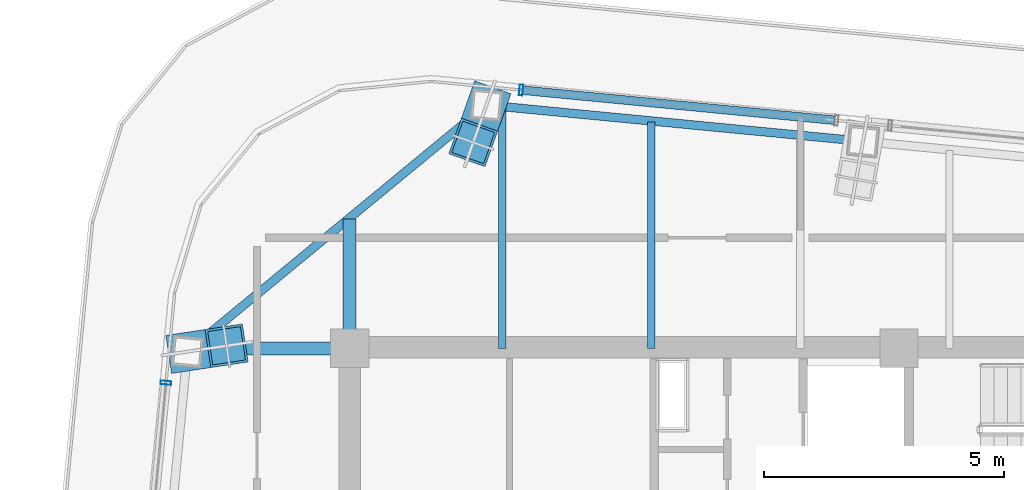
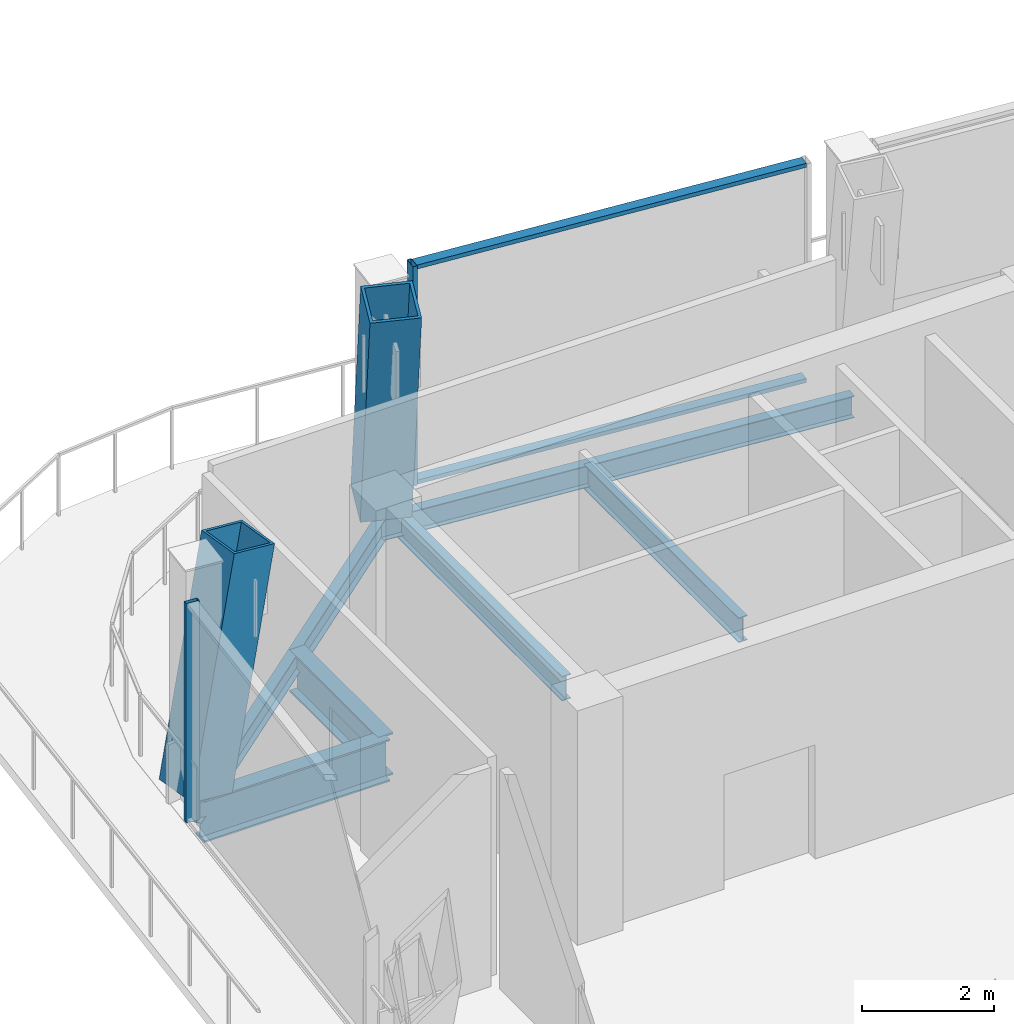
# One storey, part 8 of 19: 6 beams, 6 members, 2 elements without a shape of their own.
"""IFC4 building model written with IfcOpenShell, lengths in metres."""

from ifc_helpers import new_model, si_unit, direction, frame, origin, origin_2d, place, context, subcontext, project, spatial, hollow_rectangle, i_section, extrude, material, layer, layer_set, material_profile, profile_set, type_object, element, aggregate, save


model = new_model("IFC4")

# Units and contexts
model_context = context("Model", 3, precision=1e-05, world=origin(), true_north=direction((0.0, 1.0)))
body_context = subcontext(model_context, "Body", "Model", "MODEL_VIEW")
ifc_project = project(units=[si_unit("LENGTHUNIT", "METRE"), si_unit("AREAUNIT", "SQUARE_METRE"), si_unit("VOLUMEUNIT", "CUBIC_METRE"), si_unit("PLANEANGLEUNIT", "RADIAN"), si_unit("MASSUNIT", "GRAM", prefix="KILO")], contexts=[model_context])

# Site, building, storey
site_placement = place(None, origin())
site = spatial("IfcSite", under=ifc_project, at=site_placement, CompositionType="ELEMENT")
building_placement = place(site_placement, origin())
building = spatial("IfcBuilding", under=site, at=building_placement, Name="Qhalaya Broadcast Tower", CompositionType="ELEMENT")
storey_placement = place(building_placement, frame((0.0, 0.0, 280.550048828125)))
storey = spatial("IfcBuildingStorey", under=building, at=storey_placement, Name="L83", CompositionType="ELEMENT", Elevation=280.550048828125)

# Beams
ifc_material_1 = material(Name="Structural Steel ASTM A992 Grade 50", Category="steel")
ifc_material_profile_1 = material_profile(ifc_material_1, i_section(OverallWidth=0.154052734375, OverallDepth=0.458984375, WebThickness=0.009033203125, FlangeThickness=0.015380859375, at=origin_2d()), Name="W18X46")
ifc_profile_set_1 = profile_set([ifc_material_profile_1], Name="Structural Steel ASTM A992 Grade 50")
beam_type_1 = type_object("IfcBeamType", Name="Composite Floor Joist J04", PredefinedType="JOIST", material=ifc_profile_set_1)
beam_1_placement = place(storey_placement, frame((-6.199951171875, 9.949951171875, -0.41943359375), z_axis=(0.0, 1.0, 0.0), x_axis=(-1.0, 0.0, 0.0)))
element("IfcBeam", 1, at=beam_1_placement, inside=storey, type_object=beam_type_1, Name="L83 J04 L83-JNN1-1", PredefinedType="JOIST", context=body_context, shape_type="SweptSolid", body=[
    extrude(i_section(OverallWidth=0.154052734375, OverallDepth=0.458984375, WebThickness=0.009033203125, FlangeThickness=0.015380859375, at=origin_2d()), origin(), (0.0, 0.0, 1.0), 5.0087890625),
])
beam_2_placement = place(storey_placement, frame((-3.10009765625, 9.949951171875, -0.41943359375), z_axis=(0.0, 1.0, 0.0), x_axis=(-1.0, 0.0, 0.0)))
element("IfcBeam", 2, at=beam_2_placement, inside=storey, type_object=beam_type_1, Name="L83 J04 L83-JNN2-1", PredefinedType="JOIST", context=body_context, shape_type="SweptSolid", body=[
    extrude(i_section(OverallWidth=0.154052734375, OverallDepth=0.458984375, WebThickness=0.009033203125, FlangeThickness=0.015380859375, at=origin_2d()), origin(), (0.0, 0.0, 1.0), 4.710205078125),
])
ifc_material_profile_2 = material_profile(ifc_material_1, i_section(OverallWidth=0.26708984375, OverallDepth=0.780029296875, WebThickness=0.0166015625, FlangeThickness=0.030029296875, at=origin_2d()), Name="W30X148")
ifc_profile_set_2 = profile_set([ifc_material_profile_2], Name="Structural Steel ASTM A992 Grade 50")
beam_type_2 = type_object("IfcBeamType", Name="Neck & Crown Primary Girder PG5", PredefinedType="USERDEFINED", material=ifc_profile_set_2)
beam_3_placement = place(storey_placement, frame((-9.375, 9.949951171875, -0.580078125), z_axis=(0.0, 1.0, 0.0), x_axis=(-1.0, 0.0, 0.0)))
element("IfcBeam", 3, at=beam_3_placement, inside=storey, type_object=beam_type_2, Name="L83 PG5 L83-PGXN1-1", ObjectType="GIRDER", PredefinedType="USERDEFINED", context=body_context, shape_type="SweptSolid", body=[
    extrude(i_section(OverallWidth=0.26708984375, OverallDepth=0.780029296875, WebThickness=0.0166015625, FlangeThickness=0.030029296875, at=origin_2d()), origin(), (0.0, 0.0, 1.0), 2.68798828125),
])
beam_4_placement = place(storey_placement, frame((-12.6357421875, 9.949951171875, -0.580078125), z_axis=(1.0, 0.0, 0.0), x_axis=(0.0, 1.0, 0.0)))
element("IfcBeam", 4, at=beam_4_placement, inside=storey, type_object=beam_type_2, Name="L83 PG5 L83-PGYW4-1", ObjectType="GIRDER", PredefinedType="USERDEFINED", context=body_context, shape_type="SweptSolid", body=[
    extrude(i_section(OverallWidth=0.26708984375, OverallDepth=0.780029296875, WebThickness=0.0166015625, FlangeThickness=0.030029296875, at=origin_2d()), origin(), (0.0, 0.0, 1.0), 3.2607421875),
])

# Curtain wall, member
ifc_material_2 = material(Name="Solar-Control Low-E Triple Glazing", Category="glass")
ifc_layer = layer(ifc_material_2, 0.219970703125, Name="Solar-Control Low-E Triple Glazing")
ifc_layer_set = layer_set([ifc_layer], Name="Solar-Control Low-E Triple Glazing")
curtain_wall_type = type_object("IfcCurtainWallType", Name="Crown Garden & Observation Windscreen Curtain Wall CW-06", PredefinedType="NOTDEFINED", material=ifc_layer_set)
curtain_wall_1_placement = place(storey_placement, origin())
curtain_wall_1 = element("IfcCurtainWall", 5, at=curtain_wall_1_placement, inside=storey, type_object=curtain_wall_type, Name="L83 Unitised Curtain Wall L83-CW-N3", PredefinedType="NOTDEFINED")
ifc_material_3 = material(Name="Anodised Aluminium 6063-T6", Category="aluminium")
ifc_material_profile_3 = material_profile(ifc_material_3, hollow_rectangle(XDim=0.074951171875, YDim=0.219970703125, WallThickness=0.00390625, at=origin_2d()), Name="ALU-MUL 75x220x4")
ifc_profile_set_3 = profile_set([ifc_material_profile_3], Name="Anodised Aluminium 6063-T6")
member_type_1 = type_object("IfcMemberType", Name="Unitised Curtain-Wall Mullion M01", PredefinedType="MULLION", material=ifc_profile_set_3)
member_1_placement = place(storey_placement, frame((-5.8076171875, 15.32275390625, 0.0), z_axis=(0.0, 0.0, 1.0), x_axis=(-0.995396507194, 0.095842545179, 0.0)))
member_1 = element("IfcMember", 6, at=member_1_placement, type_object=member_type_1, Name="CW-06 mullion 2", PredefinedType="MULLION", context=body_context, shape_type="SweptSolid", body=[
    extrude(hollow_rectangle(XDim=0.074951171875, YDim=0.219970703125, WallThickness=0.00390625, at=origin_2d()), origin(), (0.0, 0.0, 1.0), 4.070068359375),
])

curtain_wall_2_placement = place(storey_placement, origin())
curtain_wall_2 = element("IfcCurtainWall", 7, at=curtain_wall_2_placement, inside=storey, type_object=curtain_wall_type, Name="L83 Unitised Curtain Wall L83-CW-W1", PredefinedType="NOTDEFINED")
member_2_placement = place(storey_placement, frame((-13.192626953125, 9.235107421875, 0.0), z_axis=(0.0, 0.0, 1.0), x_axis=(-0.095842545179, -0.995396507194, 0.0)))
member_2 = element("IfcMember", 8, at=member_2_placement, type_object=member_type_1, Name="CW-06 mullion 1", PredefinedType="MULLION", context=body_context, shape_type="SweptSolid", body=[
    extrude(hollow_rectangle(XDim=0.074951171875, YDim=0.219970703125, WallThickness=0.00390625, at=origin_2d()), origin(), (0.0, 0.0, 1.0), 4.070068359375),
])
aggregate(curtain_wall_2, [member_2])

# Member
ifc_material_profile_4 = material_profile(ifc_material_3, hollow_rectangle(XDim=0.074951171875, YDim=0.179931640625, WallThickness=0.00390625, at=origin_2d()), Name="ALU-TRN 75x180x4")
ifc_profile_set_4 = profile_set([ifc_material_profile_4], Name="Anodised Aluminium 6063-T6")
member_type_2 = type_object("IfcMemberType", Name="Unitised Curtain-Wall Transom T01", PredefinedType="USERDEFINED", material=ifc_profile_set_4)
member_3_placement = place(storey_placement, frame((0.711669921875, 14.695068359375, 0.037353515625), z_axis=(-0.995397894461, 0.09582813628, 0.0), x_axis=(0.0, 0.0, 1.0)))
member_3 = element("IfcMember", 9, at=member_3_placement, type_object=member_type_2, Name="CW-06 transom 1.1", ObjectType="TRANSOM", PredefinedType="USERDEFINED", context=body_context, shape_type="SweptSolid", body=[
    extrude(hollow_rectangle(XDim=0.074951171875, YDim=0.179931640625, WallThickness=0.00390625, at=origin_2d()), origin(), (0.0, 0.0, 1.0), 6.511962890625),
])

member_4_placement = place(storey_placement, frame((0.711669921875, 14.695068359375, 4.032470703125), z_axis=(-0.995397894461, 0.09582813628, 0.0), x_axis=(0.0, 0.0, 1.0)))
member_4 = element("IfcMember", 10, at=member_4_placement, type_object=member_type_2, Name="CW-06 transom 1.2", ObjectType="TRANSOM", PredefinedType="USERDEFINED", context=body_context, shape_type="SweptSolid", body=[
    extrude(hollow_rectangle(XDim=0.074951171875, YDim=0.179931640625, WallThickness=0.00390625, at=origin_2d()), origin(), (0.0, 0.0, 1.0), 6.511962890625),
])

aggregate(curtain_wall_1, [member_1, member_3, member_4])

# Members
ifc_material_4 = material(Name="Structural Steel ASTM A572 Grade 50", Category="steel")
ifc_material_profile_5 = material_profile(ifc_material_4, hollow_rectangle(XDim=0.800048828125, YDim=0.800048828125, WallThickness=0.050048828125, at=origin_2d()), Name="BOX 800x800x50")
ifc_profile_set_5 = profile_set([ifc_material_profile_5], Name="Structural Steel ASTM A572 Grade 50")
member_type_3 = type_object("IfcMemberType", Name="Upper Exoskeleton Transfer Strut RK2", PredefinedType="BRACE", material=ifc_profile_set_5)
for number, where, z_axis, x_axis, name in (
    (11, (-6.5283203125, 15.010498046875, 0.0859375), (-0.063523797343, -0.178934731808, 0.981808071327), (0.942376566008, -0.334554043226, 0.0), "L83 Inclined Exoskeleton Transfer Strut 12"),
    (12, (-12.74853515625, 9.883056640625, 0.0859375), (0.187761135006, 0.028164170251, 0.981810845171), (-0.14834045293, 0.988936352868, 0.0), "L83 Inclined Exoskeleton Transfer Strut 13"),
):
    element("IfcMember", number, at=place(storey_placement, frame(where, z_axis=z_axis, x_axis=x_axis)), inside=storey, type_object=member_type_3, Name=name, PredefinedType="BRACE", context=body_context, shape_type="SweptSolid", body=[
        extrude(hollow_rectangle(XDim=0.800048828125, YDim=0.800048828125, WallThickness=0.050048828125, at=origin_2d()), origin(), (0.0, 0.0, 1.0), 4.343017578125),
    ])

# Beams
ifc_material_profile_6 = material_profile(ifc_material_1, i_section(OverallWidth=0.177978515625, OverallDepth=0.406005859375, WebThickness=0.0078125, FlangeThickness=0.0126953125, at=origin_2d()), Name="W16X40")
ifc_profile_set_6 = profile_set([ifc_material_profile_6], Name="Structural Steel ASTM A992 Grade 50")
beam_type_3 = type_object("IfcBeamType", Name="Upper Perimeter Spandrel Beam SP2", PredefinedType="SPANDREL", material=ifc_profile_set_6)
beam_5_placement = place(storey_placement, frame((1.302001953125, 14.25634765625, -0.39306640625), z_axis=(-0.995394062251, 0.095867934346, 0.0), x_axis=(-0.095867934346, -0.995394062251, 0.0)))
element("IfcBeam", 13, at=beam_5_placement, inside=storey, type_object=beam_type_3, Name="L83 SP2 L83-SPR-11", PredefinedType="SPANDREL", context=body_context, shape_type="SweptSolid", body=[
    extrude(i_section(OverallWidth=0.177978515625, OverallDepth=0.406005859375, WebThickness=0.0078125, FlangeThickness=0.0126953125, at=origin_2d()), origin(), (0.0, 0.0, 1.0), 7.866455078125),
])
beam_6_placement = place(storey_placement, frame((-6.5283203125, 15.010498046875, -0.39306640625), z_axis=(-0.771631160126, -0.636070241972, 0.0), x_axis=(0.636070241972, -0.771631160126, 0.0)))
element("IfcBeam", 14, at=beam_6_placement, inside=storey, type_object=beam_type_3, Name="L83 SP2 L83-SPR-12", PredefinedType="SPANDREL", context=body_context, shape_type="SweptSolid", body=[
    extrude(i_section(OverallWidth=0.177978515625, OverallDepth=0.406005859375, WebThickness=0.0078125, FlangeThickness=0.0126953125, at=origin_2d()), origin(), (0.0, 0.0, 1.0), 8.06103515625),
])

save(model, "model.ifc")
